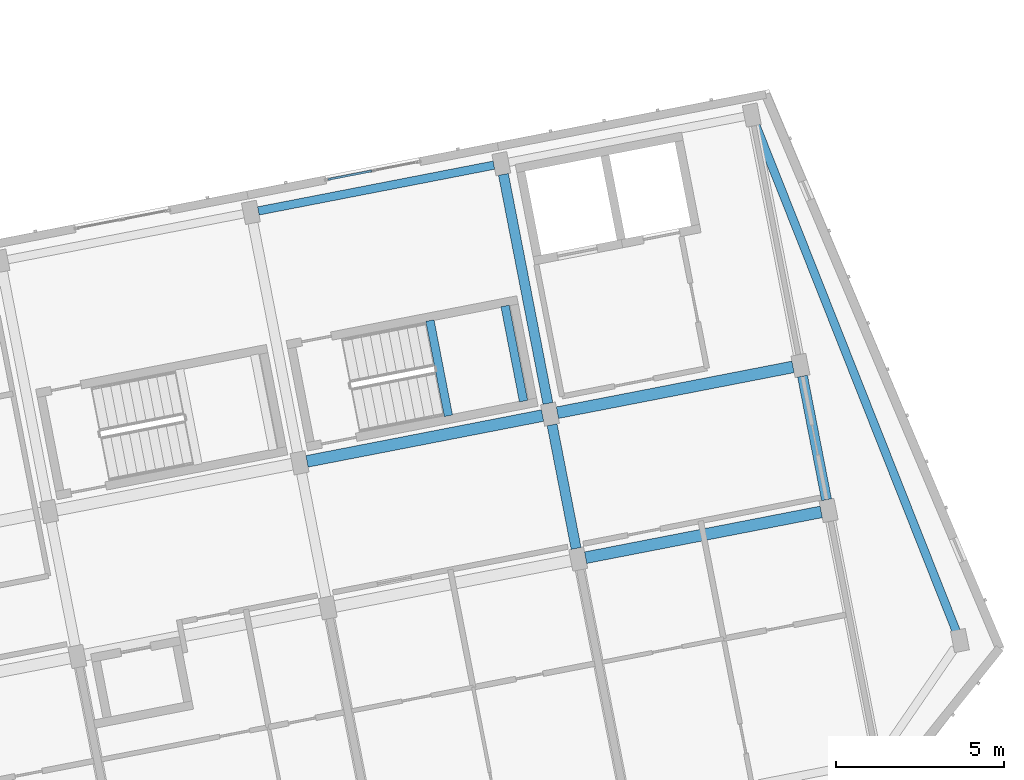
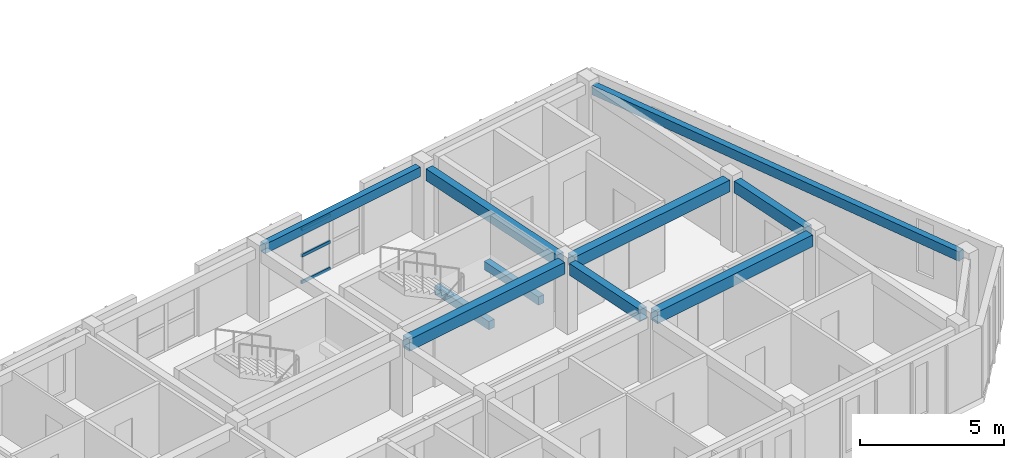
# One storey, part 9 of 65: 10 beams, 3 members, 1 element without a shape of its own.
"""IFC4 building model written with IfcOpenShell, lengths in metres."""

import ifcopenshell
import ifcopenshell.guid

model = None  # the IFC model being written
_history = None  # IfcOwnerHistory: only IFC2X3 demands one
_inside = {}  # id of a spatial element -> (the spatial element, [elements in it])
_under = {}  # id of a project, library or spatial element -> (it, [spatial elements below it])
_declared = {}  # id of a project -> (the project, [libraries it declares])
_typed = {}  # id of a type object -> (the type object, [elements of that type])
_made_of = {}  # id of a material, layer set ... -> (it, [elements and type objects made of it])


def new_model(schema):
    """Start an empty IFC model of exactly this schema.

    Asked for "IFC4X3", IfcOpenShell would pick the latest addendum, in which some entities
    have other attributes; the version numbers below select the first issue.
    IFC2X3 requires an IfcOwnerHistory on every rooted entity: one is made here for all.
    """
    global model, _history
    if schema == "IFC4X3":
        model = ifcopenshell.file(schema_version=(4, 3, 0, 0))
    else:
        model = ifcopenshell.file(schema=schema)
    _inside.clear()
    _under.clear()
    _declared.clear()
    _typed.clear()
    _made_of.clear()
    _history = None
    if model.schema == "IFC2X3":
        org = make("IfcOrganization", Name="unknown")
        user = make(
            "IfcPersonAndOrganization",
            ThePerson=make("IfcPerson", FamilyName="unknown"),
            TheOrganization=org,
        )
        app = make(
            "IfcApplication",
            ApplicationDeveloper=org,
            Version="unknown",
            ApplicationFullName="unknown",
            ApplicationIdentifier="unknown",
        )
        _history = make(
            "IfcOwnerHistory",
            OwningUser=user,
            OwningApplication=app,
            ChangeAction="ADDED",
            CreationDate=0,
        )
    return model


def make(cls, **values):
    """One entity of the class cls with the attributes given. An attribute that is None is left unset."""
    return model.create_entity(
        cls, **{name: value for name, value in values.items() if value is not None}
    )


def rooted(cls, **values):
    """An entity with a GlobalId (a new one), such as an element, a storey or a relation."""
    return make(cls, GlobalId=ifcopenshell.guid.new(), OwnerHistory=_history, **values)


def si_unit(unit_type, name, prefix=None):
    """IfcSIUnit, for example si_unit("LENGTHUNIT", "METRE", prefix="MILLI")."""
    return make("IfcSIUnit", UnitType=unit_type, Prefix=prefix, Name=name)


def assignment(units):
    """IfcUnitAssignment: the units of a project."""
    return None if units is None else make("IfcUnitAssignment", Units=units)


def point(xyz):
    """IfcCartesianPoint."""
    return None if xyz is None else make("IfcCartesianPoint", Coordinates=xyz)


def direction(xyz):
    """IfcDirection."""
    return None if xyz is None else make("IfcDirection", DirectionRatios=xyz)


def frame(location, z_axis=None, x_axis=None):
    """IfcAxis2Placement3D, a coordinate frame: its origin and axes. An axis left out is left unset."""
    return make(
        "IfcAxis2Placement3D",
        Location=point(location),
        Axis=direction(z_axis),
        RefDirection=direction(x_axis),
    )


def frame_2d(location, x_axis=None):
    """IfcAxis2Placement2D, a coordinate frame in the plane: its origin and x axis."""
    return make(
        "IfcAxis2Placement2D", Location=point(location), RefDirection=direction(x_axis)
    )


def origin():
    """The frame at (0, 0, 0) with its axes left unset."""
    return frame((0.0, 0.0, 0.0))


def origin_2d():
    """The frame at (0, 0) in the plane with its x axis left unset."""
    return frame_2d((0.0, 0.0))


def place(relative_to, where):
    """IfcLocalPlacement: puts the frame where relative to a parent placement (None: the world)."""
    return make(
        "IfcLocalPlacement", PlacementRelTo=relative_to, RelativePlacement=where
    )


def context(
    kind, dimensions, precision=None, world=None, true_north=None, identifier=None
):
    """IfcGeometricRepresentationContext, for example the 3D "Model" context."""
    return make(
        "IfcGeometricRepresentationContext",
        ContextIdentifier=identifier,
        ContextType=kind,
        CoordinateSpaceDimension=dimensions,
        Precision=precision,
        WorldCoordinateSystem=world,
        TrueNorth=true_north,
    )


def subcontext(parent, identifier, kind, view, scale=None):
    """IfcGeometricRepresentationSubContext, for example "Body" below "Model"."""
    return make(
        "IfcGeometricRepresentationSubContext",
        ContextIdentifier=identifier,
        ContextType=kind,
        ParentContext=parent,
        TargetScale=scale,
        TargetView=view,
    )


def project(units=None, contexts=None):
    """IfcProject with its units and contexts."""
    return rooted(
        "IfcProject",
        Name="project",
        RepresentationContexts=contexts,
        UnitsInContext=assignment(units),
    )


def spatial(cls, under=None, at=None, **own):
    """A site, building, storey or space (cls), placed at a placement, below another one or the project."""
    s = rooted(cls, ObjectPlacement=at, **own)
    if under is not None:
        _under.setdefault(under.id(), (under, []))[1].append(s)
    return s


def profile(cls, at=None, kind="AREA", **sizes):
    """A parametric profile (cls). Its sizes go by their IFC names, for example OverallWidth=200.0."""
    return make(cls, ProfileType=kind, Position=at, **sizes)


def rectangle(**sizes):
    """IfcRectangleProfileDef."""
    return profile("IfcRectangleProfileDef", **sizes)


def hollow_rectangle(**sizes):
    """IfcRectangleHollowProfileDef."""
    return profile("IfcRectangleHollowProfileDef", **sizes)


def extrude(swept, where, along, depth):
    """IfcExtrudedAreaSolid: the profile swept, set in the frame where, extruded along a direction by depth."""
    return make(
        "IfcExtrudedAreaSolid",
        SweptArea=swept,
        Position=where,
        ExtrudedDirection=direction(along),
        Depth=depth,
    )


def shape(context_of_items, identifier, shape_type, items):
    """IfcShapeRepresentation: the items that make up one representation, for example the "Body"."""
    return make(
        "IfcShapeRepresentation",
        ContextOfItems=context_of_items,
        RepresentationIdentifier=identifier,
        RepresentationType=shape_type,
        Items=items,
    )


def material(Name=None, Category=None):
    """IfcMaterial."""
    return make("IfcMaterial", Name=Name, Category=Category)


def material_profile(
    of_material, cross_section, Name=None, Category=None, Priority=None
):
    """IfcMaterialProfile: a cross section and its material."""
    return make(
        "IfcMaterialProfile",
        Name=Name,
        Material=of_material,
        Profile=cross_section,
        Priority=Priority,
        Category=Category,
    )


def profile_set(profiles, Name=None, composite=None):
    """IfcMaterialProfileSet."""
    return make(
        "IfcMaterialProfileSet",
        Name=Name,
        MaterialProfiles=profiles,
        CompositeProfile=composite,
    )


def made_of(thing, what):
    """Note that an element or type object is made of a material, layer set ...; save() writes the relation."""
    if what is not None:
        _made_of.setdefault(what.id(), (what, []))[1].append(thing)
    return thing


def type_object(cls, material=None, **own):
    """A type object (cls), such as IfcWallType, which elements share."""
    return made_of(rooted(cls, **own), material)


def element(
    cls,
    number,
    at=None,
    inside=None,
    cuts=None,
    type_object=None,
    material=None,
    context=None,
    identifier="Body",
    shape_type=None,
    held_by="IfcProductDefinitionShape",
    body=None,
    shapes=None,
    **own,
):
    """One element of the class cls, such as IfcWall. Its Tag is "e" and its number.

    at: its placement. inside: the storey or other place that contains it. cuts: it is an
    opening in that element (IfcRelVoidsElement). A single representation is given by context,
    identifier, shape_type and body (its items); several are given by shapes. held_by: the class
    of the entity that holds the representations. save() writes the other relations.
    """
    e = rooted(cls, Tag="e%d" % number, ObjectPlacement=at, **own)
    if body is not None:
        shapes = [shape(context, identifier, shape_type, body)]
    if shapes is not None:
        e.Representation = make(held_by, Representations=shapes)
    if inside is not None:
        _inside.setdefault(inside.id(), (inside, []))[1].append(e)
    if cuts is not None:
        rooted(
            "IfcRelVoidsElement", RelatingBuildingElement=cuts, RelatedOpeningElement=e
        )
    if type_object is not None:
        _typed.setdefault(type_object.id(), (type_object, []))[1].append(e)
    return made_of(e, material)


def aggregate(whole, parts):
    """IfcRelAggregates: a whole, such as a stair, and the parts it consists of."""
    return rooted("IfcRelAggregates", RelatingObject=whole, RelatedObjects=parts)


def save(model, path):
    """Write the relations noted so far, then the file.

    IfcRelAggregates (storeys below a building ...), IfcRelContainedInSpatialStructure (elements
    in a storey), IfcRelDefinesByType, IfcRelAssociatesMaterial and IfcRelDeclares: one each for
    every whole, place, type object, material and project.
    """
    for whole, parts in _under.values():
        aggregate(whole, parts)
    for where, things in _inside.values():
        rooted(
            "IfcRelContainedInSpatialStructure",
            RelatedElements=things,
            RelatingStructure=where,
        )
    for kind, things in _typed.values():
        rooted("IfcRelDefinesByType", RelatedObjects=things, RelatingType=kind)
    for what, things in _made_of.values():
        rooted("IfcRelAssociatesMaterial", RelatedObjects=things, RelatingMaterial=what)
    for by, libraries in _declared.values():
        rooted("IfcRelDeclares", RelatingContext=by, RelatedDefinitions=libraries)
    model.write(path)


model = new_model("IFC4")

# Units and contexts
model_context = context("Model", 3, precision=1e-05, world=origin(), true_north=direction((0.0, 1.0)))
body_context = subcontext(model_context, "Body", "Model", "MODEL_VIEW")
ifc_project = project(units=[si_unit("LENGTHUNIT", "METRE"), si_unit("AREAUNIT", "SQUARE_METRE"), si_unit("VOLUMEUNIT", "CUBIC_METRE"), si_unit("PLANEANGLEUNIT", "RADIAN"), si_unit("MASSUNIT", "GRAM", prefix="KILO")], contexts=[model_context])

# Site, building, storey
site_placement = place(None, origin())
site = spatial("IfcSite", under=ifc_project, at=site_placement, CompositionType="ELEMENT")
building_placement = place(site_placement, origin())
building = spatial("IfcBuilding", under=site, at=building_placement, Name="Kestramere Prow Commons", CompositionType="ELEMENT")
storey_placement = place(building_placement, frame((0.0, 0.0, 21.39990234375)))
storey = spatial("IfcBuildingStorey", under=building, at=storey_placement, Name="L06", CompositionType="ELEMENT", Elevation=21.39990234375)

# Beams
ifc_material_1 = material(Name="Precast concrete C40/50", Category="concrete")
ifc_material_profile_1 = material_profile(ifc_material_1, rectangle(XDim=0.35009765625, YDim=0.5, at=origin_2d()), Name="PC-BM 350x500")
ifc_profile_set_1 = profile_set([ifc_material_profile_1], Name="Precast concrete C40/50")
beam_type_1 = type_object("IfcBeamType", Name="BM-D1 PC-BM 350x500", PredefinedType="BEAM", material=ifc_profile_set_1)
for number, where, z_axis, x_axis, name in (
    (1, (154.47265625, 48.754150390625, 2.75), (0.981627472063, 0.190807510571, 0.0), (-0.190807510571, 0.981627472063, 0.0), "Block D L06 Longitudinal Beam 2-6"),
    (2, (146.172607421875, 51.623046875, 2.75), (0.981627472063, 0.190807510571, 0.0), (-0.190807510571, 0.981627472063, 0.0), "Block D L06 Longitudinal Beam 3-5"),
    (3, (153.633056640625, 53.0732421875, 2.75), (0.981627472063, 0.190807510571, 0.0), (-0.190807510571, 0.981627472063, 0.0), "Block D L06 Longitudinal Beam 3-6"),
):
    element("IfcBeam", number, at=place(storey_placement, frame(where, z_axis=z_axis, x_axis=x_axis)), inside=storey, type_object=beam_type_1, Name=name, PredefinedType="BEAM", context=body_context, shape_type="SweptSolid", body=[
        extrude(rectangle(XDim=0.35009765625, YDim=0.5, at=origin_2d()), origin(), (0.0, 0.0, 1.0), 7.14990234375),
    ])
ifc_material_2 = material(Name="Concrete C40/50", Category="concrete")
ifc_material_profile_2 = material_profile(ifc_material_2, rectangle(XDim=0.25, YDim=0.35009765625, at=origin_2d()), Name="PC-BM 250x350")
ifc_profile_set_2 = profile_set([ifc_material_profile_2], Name="Concrete C40/50")
beam_type_2 = type_object("IfcBeamType", Name="BM-ST-TRIM", PredefinedType="BEAM", material=ifc_profile_set_2)
beam_1_placement = place(storey_placement, frame((150.3857421875, 52.98193359375, 1.25), z_axis=(-0.190833481473, 0.981622423516, 0.0), x_axis=(-0.981622423516, -0.190833481473, 0.0)))
element("IfcBeam", 4, at=beam_1_placement, inside=storey, type_object=beam_type_2, Name="ST-D2 L06 Landing Trimmer Beam 1A", PredefinedType="BEAM", context=body_context, shape_type="SweptSolid", body=[
    extrude(rectangle(XDim=0.25, YDim=0.35009765625, at=origin_2d()), origin(), (0.0, 0.0, 1.0), 2.89013671875),
])
beam_2_placement = place(storey_placement, frame((152.623779296875, 53.4169921875, 1.25), z_axis=(-0.190752078966, 0.981638245165, 0.0), x_axis=(-0.981638245165, -0.190752078966, 0.0)))
element("IfcBeam", 5, at=beam_2_placement, inside=storey, type_object=beam_type_2, Name="ST-D2 L06 Landing Trimmer Beam 1B", PredefinedType="BEAM", context=body_context, shape_type="SweptSolid", body=[
    extrude(rectangle(XDim=0.25, YDim=0.35009765625, at=origin_2d()), origin(), (0.0, 0.0, 1.0), 2.889892578125),
])
ifc_material_profile_3 = material_profile(ifc_material_1, rectangle(XDim=0.300048828125, YDim=0.5, at=origin_2d()), Name="PC-BM 300x500")
ifc_profile_set_3 = profile_set([ifc_material_profile_3], Name="Precast concrete C40/50")
beam_type_3 = type_object("IfcBeamType", Name="BM-TIE-01 PC-BM 300x500", PredefinedType="BEAM", material=ifc_profile_set_3)
beam_3_placement = place(storey_placement, frame((154.189697265625, 49.030029296875, 2.75), z_axis=(-0.190817382683, 0.981625553083, 0.0), x_axis=(-0.981625553083, -0.190817382683, 0.0)))
element("IfcBeam", 6, at=beam_3_placement, inside=storey, type_object=beam_type_3, Name="Block D L06 Transverse Beam 6-2", PredefinedType="BEAM", context=body_context, shape_type="SweptSolid", body=[
    extrude(rectangle(XDim=0.300048828125, YDim=0.5, at=origin_2d()), origin(), (0.0, 0.0, 1.0), 3.75),
])
beam_4_placement = place(storey_placement, frame((153.35009765625, 53.349365234375, 2.75), z_axis=(-0.190817005532, 0.981625626397, 0.0), x_axis=(-0.981625626397, -0.190817005532, 0.0)))
element("IfcBeam", 7, at=beam_4_placement, inside=storey, type_object=beam_type_3, Name="Block D L06 Transverse Beam 6-3", PredefinedType="BEAM", context=body_context, shape_type="SweptSolid", body=[
    extrude(rectangle(XDim=0.300048828125, YDim=0.5, at=origin_2d()), origin(), (0.0, 0.0, 1.0), 6.949951171875),
])
beam_5_placement = place(storey_placement, frame((161.650146484375, 50.480224609375, 2.75), z_axis=(-0.190817382683, 0.981625553083, 0.0), x_axis=(-0.981625553083, -0.190817382683, 0.0)))
element("IfcBeam", 8, at=beam_5_placement, inside=storey, type_object=beam_type_3, Name="Block D L06 Transverse Beam 7-2", PredefinedType="BEAM", context=body_context, shape_type="SweptSolid", body=[
    extrude(rectangle(XDim=0.300048828125, YDim=0.5, at=origin_2d()), origin(), (0.0, 0.0, 1.0), 3.75),
])

# Curtain wall, members
ifc_material_3 = material(Name="Anodised Aluminium and Low-E Glass", Category="aluminium")
curtain_wall_type = type_object("IfcCurtainWallType", Name="CW-03 Glazed Curtain Wall 2830x2320", PredefinedType="USERDEFINED", material=ifc_material_3)
curtain_wall_placement = place(storey_placement, origin())
curtain_wall = element("IfcCurtainWall", 9, at=curtain_wall_placement, inside=storey, type_object=curtain_wall_type, Name="Block D L06 Stairwell Vertical Glazing 5", ObjectType="GLAZED CURTAIN WALL", PredefinedType="USERDEFINED")
ifc_material_4 = material(Name="Anodised Aluminium 6063-T6", Category="aluminium")
ifc_material_profile_4 = material_profile(ifc_material_4, hollow_rectangle(XDim=0.06494140625, YDim=0.1298828125, WallThickness=0.00390625, at=origin_2d()), Name="ALU-TRN 65x130")
ifc_profile_set_4 = profile_set([ifc_material_profile_4], Name="Anodised Aluminium 6063-T6")
member_type = type_object("IfcMemberType", Name="CW-TRN-65x130", PredefinedType="USERDEFINED", material=ifc_profile_set_4)
member_1_placement = place(storey_placement, frame((146.806396484375, 60.0234375, 0.03271484375), z_axis=(0.981649131804, 0.190696046182, 0.0), x_axis=(-0.190696046182, 0.981649131804, 0.0)))
member_1 = element("IfcMember", 10, at=member_1_placement, type_object=member_type, Name="CW-03 transom 1.1", ObjectType="TRANSOM", PredefinedType="USERDEFINED", context=body_context, shape_type="SweptSolid", body=[
    extrude(hollow_rectangle(XDim=0.06494140625, YDim=0.1298828125, WallThickness=0.00390625, at=origin_2d()), origin(), (0.0, 0.0, 1.0), 1.3173828125),
])
member_2_placement = place(storey_placement, frame((146.806396484375, 60.0234375, 1.16015625), z_axis=(0.981649131804, 0.190696046182, 0.0), x_axis=(-0.190696046182, 0.981649131804, 0.0)))
member_2 = element("IfcMember", 11, at=member_2_placement, type_object=member_type, Name="CW-03 transom 1.2", ObjectType="TRANSOM", PredefinedType="USERDEFINED", context=body_context, shape_type="SweptSolid", body=[
    extrude(hollow_rectangle(XDim=0.06494140625, YDim=0.1298828125, WallThickness=0.00390625, at=origin_2d()), origin(), (0.0, 0.0, 1.0), 1.3173828125),
])
member_3_placement = place(storey_placement, frame((146.806396484375, 60.0234375, 2.28759765625), z_axis=(0.981649131804, 0.190696046182, 0.0), x_axis=(-0.190696046182, 0.981649131804, 0.0)))
member_3 = element("IfcMember", 12, at=member_3_placement, type_object=member_type, Name="CW-03 transom 1.3", ObjectType="TRANSOM", PredefinedType="USERDEFINED", context=body_context, shape_type="SweptSolid", body=[
    extrude(hollow_rectangle(XDim=0.06494140625, YDim=0.1298828125, WallThickness=0.00390625, at=origin_2d()), origin(), (0.0, 0.0, 1.0), 1.3173828125),
])
aggregate(curtain_wall, [member_1, member_2, member_3])

# Beams
ifc_material_profile_5 = material_profile(ifc_material_1, rectangle(XDim=0.25, YDim=0.39990234375, at=origin_2d()), Name="PC-SP 250x400")
ifc_profile_set_5 = profile_set([ifc_material_profile_5], Name="Precast concrete C40/50")
beam_type_4 = type_object("IfcBeamType", Name="SP-EXT-01 PC-SP 250x400", PredefinedType="SPANDREL", material=ifc_profile_set_5)
beam_6_placement = place(storey_placement, frame((159.525390625, 61.680419921875, 2.800048828125), z_axis=(0.368282919079, -0.929713768595, 0.0), x_axis=(0.929713768595, 0.368282919079, 0.0)))
element("IfcBeam", 13, at=beam_6_placement, inside=storey, type_object=beam_type_4, Name="Block D L06 Prow Facet Beam N", PredefinedType="SPANDREL", context=body_context, shape_type="SweptSolid", body=[
    extrude(rectangle(XDim=0.25, YDim=0.39990234375, at=origin_2d()), origin(), (0.0, 0.0, 1.0), 16.27783203125),
])
beam_7_placement = place(storey_placement, frame((144.722412109375, 59.08349609375, 2.800048828125), z_axis=(0.981628715169, 0.190801115182, 0.0), x_axis=(-0.190801115182, 0.981628715169, 0.0)))
element("IfcBeam", 14, at=beam_7_placement, inside=storey, type_object=beam_type_4, Name="Block D L06 Longitudinal Beam 4-5", PredefinedType="SPANDREL", context=body_context, shape_type="SweptSolid", body=[
    extrude(rectangle(XDim=0.25, YDim=0.39990234375, at=origin_2d()), origin(), (0.0, 0.0, 1.0), 7.150146484375),
])

save(model, "model.ifc")
